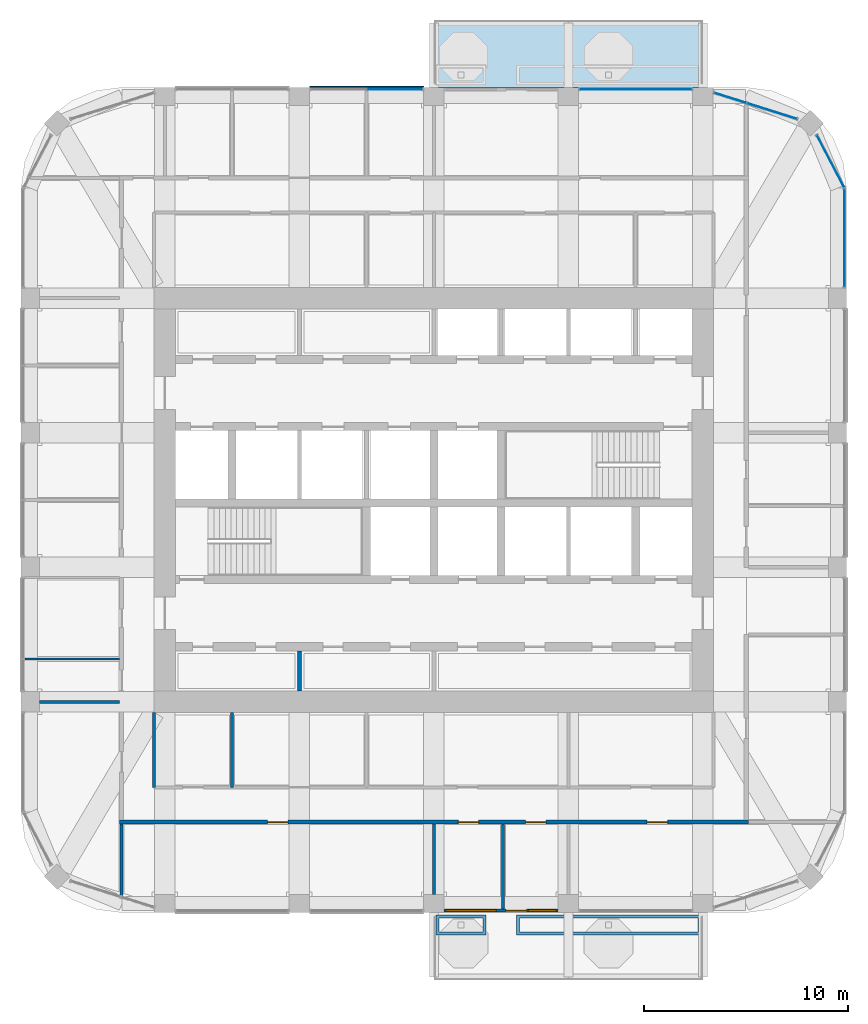
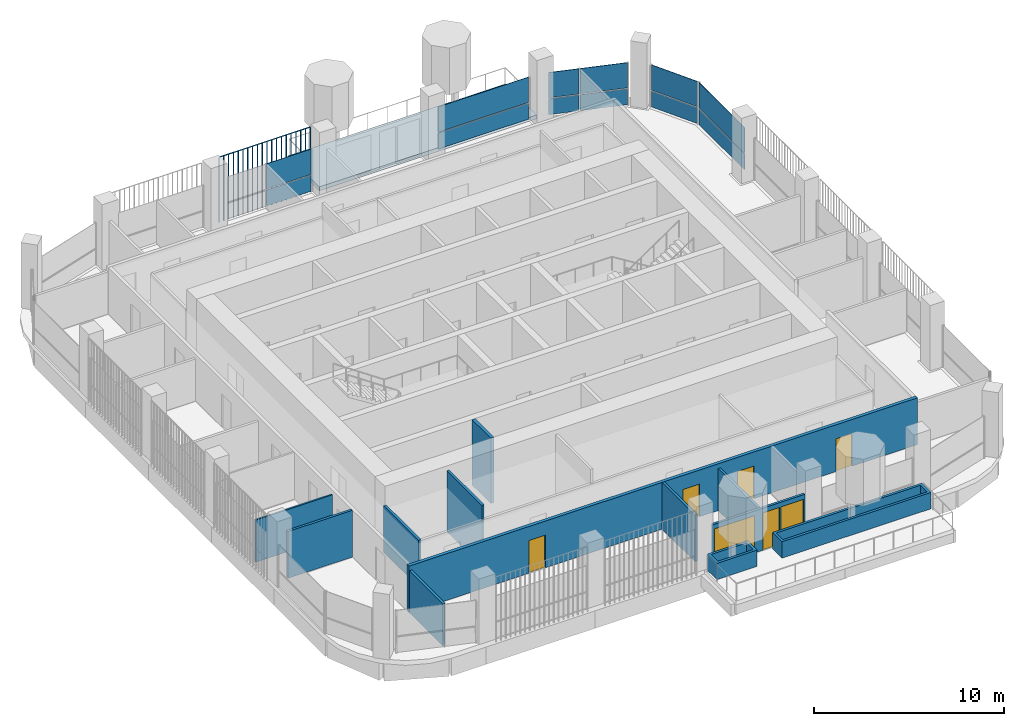
# One storey, part 13 of 21: 13 plates, 12 walls, 5 doors, 2 windows, 1 slab, 7 openings, 5 elements without a shape of their own.
"""IFC4 building model written with IfcOpenShell, lengths in metres."""

import ifcopenshell
import ifcopenshell.guid

model = None  # the IFC model being written
_history = None  # IfcOwnerHistory: only IFC2X3 demands one
_inside = {}  # id of a spatial element -> (the spatial element, [elements in it])
_under = {}  # id of a project, library or spatial element -> (it, [spatial elements below it])
_declared = {}  # id of a project -> (the project, [libraries it declares])
_typed = {}  # id of a type object -> (the type object, [elements of that type])
_made_of = {}  # id of a material, layer set ... -> (it, [elements and type objects made of it])


def new_model(schema):
    """Start an empty IFC model of exactly this schema.

    Asked for "IFC4X3", IfcOpenShell would pick the latest addendum, in which some entities
    have other attributes; the version numbers below select the first issue.
    IFC2X3 requires an IfcOwnerHistory on every rooted entity: one is made here for all.
    """
    global model, _history
    if schema == "IFC4X3":
        model = ifcopenshell.file(schema_version=(4, 3, 0, 0))
    else:
        model = ifcopenshell.file(schema=schema)
    _inside.clear()
    _under.clear()
    _declared.clear()
    _typed.clear()
    _made_of.clear()
    _history = None
    if model.schema == "IFC2X3":
        org = make("IfcOrganization", Name="unknown")
        user = make(
            "IfcPersonAndOrganization",
            ThePerson=make("IfcPerson", FamilyName="unknown"),
            TheOrganization=org,
        )
        app = make(
            "IfcApplication",
            ApplicationDeveloper=org,
            Version="unknown",
            ApplicationFullName="unknown",
            ApplicationIdentifier="unknown",
        )
        _history = make(
            "IfcOwnerHistory",
            OwningUser=user,
            OwningApplication=app,
            ChangeAction="ADDED",
            CreationDate=0,
        )
    return model


def make(cls, **values):
    """One entity of the class cls with the attributes given. An attribute that is None is left unset."""
    return model.create_entity(
        cls, **{name: value for name, value in values.items() if value is not None}
    )


def rooted(cls, **values):
    """An entity with a GlobalId (a new one), such as an element, a storey or a relation."""
    return make(cls, GlobalId=ifcopenshell.guid.new(), OwnerHistory=_history, **values)


def si_unit(unit_type, name, prefix=None):
    """IfcSIUnit, for example si_unit("LENGTHUNIT", "METRE", prefix="MILLI")."""
    return make("IfcSIUnit", UnitType=unit_type, Prefix=prefix, Name=name)


def assignment(units):
    """IfcUnitAssignment: the units of a project."""
    return None if units is None else make("IfcUnitAssignment", Units=units)


def point(xyz):
    """IfcCartesianPoint."""
    return None if xyz is None else make("IfcCartesianPoint", Coordinates=xyz)


def direction(xyz):
    """IfcDirection."""
    return None if xyz is None else make("IfcDirection", DirectionRatios=xyz)


def frame(location, z_axis=None, x_axis=None):
    """IfcAxis2Placement3D, a coordinate frame: its origin and axes. An axis left out is left unset."""
    return make(
        "IfcAxis2Placement3D",
        Location=point(location),
        Axis=direction(z_axis),
        RefDirection=direction(x_axis),
    )


def frame_2d(location, x_axis=None):
    """IfcAxis2Placement2D, a coordinate frame in the plane: its origin and x axis."""
    return make(
        "IfcAxis2Placement2D", Location=point(location), RefDirection=direction(x_axis)
    )


def origin():
    """The frame at (0, 0, 0) with its axes left unset."""
    return frame((0.0, 0.0, 0.0))


def origin_2d():
    """The frame at (0, 0) in the plane with its x axis left unset."""
    return frame_2d((0.0, 0.0))


def place(relative_to, where):
    """IfcLocalPlacement: puts the frame where relative to a parent placement (None: the world)."""
    return make(
        "IfcLocalPlacement", PlacementRelTo=relative_to, RelativePlacement=where
    )


def context(
    kind, dimensions, precision=None, world=None, true_north=None, identifier=None
):
    """IfcGeometricRepresentationContext, for example the 3D "Model" context."""
    return make(
        "IfcGeometricRepresentationContext",
        ContextIdentifier=identifier,
        ContextType=kind,
        CoordinateSpaceDimension=dimensions,
        Precision=precision,
        WorldCoordinateSystem=world,
        TrueNorth=true_north,
    )


def subcontext(parent, identifier, kind, view, scale=None):
    """IfcGeometricRepresentationSubContext, for example "Body" below "Model"."""
    return make(
        "IfcGeometricRepresentationSubContext",
        ContextIdentifier=identifier,
        ContextType=kind,
        ParentContext=parent,
        TargetScale=scale,
        TargetView=view,
    )


def project(units=None, contexts=None):
    """IfcProject with its units and contexts."""
    return rooted(
        "IfcProject",
        Name="project",
        RepresentationContexts=contexts,
        UnitsInContext=assignment(units),
    )


def spatial(cls, under=None, at=None, **own):
    """A site, building, storey or space (cls), placed at a placement, below another one or the project."""
    s = rooted(cls, ObjectPlacement=at, **own)
    if under is not None:
        _under.setdefault(under.id(), (under, []))[1].append(s)
    return s


def polyline(points):
    """IfcPolyline through the points."""
    return make("IfcPolyline", Points=[point(p) for p in points])


def profile(cls, at=None, kind="AREA", **sizes):
    """A parametric profile (cls). Its sizes go by their IFC names, for example OverallWidth=200.0."""
    return make(cls, ProfileType=kind, Position=at, **sizes)


def rectangle(**sizes):
    """IfcRectangleProfileDef."""
    return profile("IfcRectangleProfileDef", **sizes)


def outline(outer, holes=None, kind="AREA"):
    """IfcArbitraryClosedProfileDef: a profile drawn as a closed curve; with holes, ...WithVoids."""
    if holes is None:
        return make("IfcArbitraryClosedProfileDef", ProfileType=kind, OuterCurve=outer)
    return make(
        "IfcArbitraryProfileDefWithVoids",
        ProfileType=kind,
        OuterCurve=outer,
        InnerCurves=holes,
    )


def extrude(swept, where, along, depth):
    """IfcExtrudedAreaSolid: the profile swept, set in the frame where, extruded along a direction by depth."""
    return make(
        "IfcExtrudedAreaSolid",
        SweptArea=swept,
        Position=where,
        ExtrudedDirection=direction(along),
        Depth=depth,
    )


def shape(context_of_items, identifier, shape_type, items):
    """IfcShapeRepresentation: the items that make up one representation, for example the "Body"."""
    return make(
        "IfcShapeRepresentation",
        ContextOfItems=context_of_items,
        RepresentationIdentifier=identifier,
        RepresentationType=shape_type,
        Items=items,
    )


def material(Name=None, Category=None):
    """IfcMaterial."""
    return make("IfcMaterial", Name=Name, Category=Category)


def layer(
    of_material, thickness, ventilated=None, Name=None, Category=None, Priority=None
):
    """IfcMaterialLayer: one layer of a wall or slab, of a material (None: an air gap)."""
    return make(
        "IfcMaterialLayer",
        Material=of_material,
        LayerThickness=thickness,
        IsVentilated=ventilated,
        Name=Name,
        Category=Category,
        Priority=Priority,
    )


def layer_set(layers, Name=None):
    """IfcMaterialLayerSet."""
    return make("IfcMaterialLayerSet", MaterialLayers=layers, LayerSetName=Name)


def made_of(thing, what):
    """Note that an element or type object is made of a material, layer set ...; save() writes the relation."""
    if what is not None:
        _made_of.setdefault(what.id(), (what, []))[1].append(thing)
    return thing


def type_object(cls, material=None, **own):
    """A type object (cls), such as IfcWallType, which elements share."""
    return made_of(rooted(cls, **own), material)


def element(
    cls,
    number,
    at=None,
    inside=None,
    cuts=None,
    type_object=None,
    material=None,
    context=None,
    identifier="Body",
    shape_type=None,
    held_by="IfcProductDefinitionShape",
    body=None,
    shapes=None,
    **own,
):
    """One element of the class cls, such as IfcWall. Its Tag is "e" and its number.

    at: its placement. inside: the storey or other place that contains it. cuts: it is an
    opening in that element (IfcRelVoidsElement). A single representation is given by context,
    identifier, shape_type and body (its items); several are given by shapes. held_by: the class
    of the entity that holds the representations. save() writes the other relations.
    """
    e = rooted(cls, Tag="e%d" % number, ObjectPlacement=at, **own)
    if body is not None:
        shapes = [shape(context, identifier, shape_type, body)]
    if shapes is not None:
        e.Representation = make(held_by, Representations=shapes)
    if inside is not None:
        _inside.setdefault(inside.id(), (inside, []))[1].append(e)
    if cuts is not None:
        rooted(
            "IfcRelVoidsElement", RelatingBuildingElement=cuts, RelatedOpeningElement=e
        )
    if type_object is not None:
        _typed.setdefault(type_object.id(), (type_object, []))[1].append(e)
    return made_of(e, material)


def fill(opening, filler):
    """IfcRelFillsElement: the door or window that sits in an opening."""
    return rooted(
        "IfcRelFillsElement",
        RelatingOpeningElement=opening,
        RelatedBuildingElement=filler,
    )


def aggregate(whole, parts):
    """IfcRelAggregates: a whole, such as a stair, and the parts it consists of."""
    return rooted("IfcRelAggregates", RelatingObject=whole, RelatedObjects=parts)


def save(model, path):
    """Write the relations noted so far, then the file.

    IfcRelAggregates (storeys below a building ...), IfcRelContainedInSpatialStructure (elements
    in a storey), IfcRelDefinesByType, IfcRelAssociatesMaterial and IfcRelDeclares: one each for
    every whole, place, type object, material and project.
    """
    for whole, parts in _under.values():
        aggregate(whole, parts)
    for where, things in _inside.values():
        rooted(
            "IfcRelContainedInSpatialStructure",
            RelatedElements=things,
            RelatingStructure=where,
        )
    for kind, things in _typed.values():
        rooted("IfcRelDefinesByType", RelatedObjects=things, RelatingType=kind)
    for what, things in _made_of.values():
        rooted("IfcRelAssociatesMaterial", RelatedObjects=things, RelatingMaterial=what)
    for by, libraries in _declared.values():
        rooted("IfcRelDeclares", RelatingContext=by, RelatedDefinitions=libraries)
    model.write(path)


model = new_model("IFC4")

# Units and contexts
model_context = context("Model", 3, precision=1e-05, world=origin(), true_north=direction((0.0, 1.0)))
body_context = subcontext(model_context, "Body", "Model", "MODEL_VIEW")
ifc_project = project(units=[si_unit("LENGTHUNIT", "METRE"), si_unit("AREAUNIT", "SQUARE_METRE"), si_unit("VOLUMEUNIT", "CUBIC_METRE"), si_unit("PLANEANGLEUNIT", "RADIAN"), si_unit("MASSUNIT", "GRAM", prefix="KILO")], contexts=[model_context])

# Site, building, storey
site_placement = place(None, origin())
site = spatial("IfcSite", under=ifc_project, at=site_placement, CompositionType="ELEMENT")
building_placement = place(site_placement, origin())
building = spatial("IfcBuilding", under=site, at=building_placement, Name="Cobogo Forest Laboratory Tower", CompositionType="ELEMENT")
storey_placement = place(building_placement, frame((0.0, 0.0, 267.0)))
storey = spatial("IfcBuildingStorey", under=building, at=storey_placement, Name="L61", CompositionType="ELEMENT", Elevation=267.0)

# Slab
ifc_material_1 = material(Name="Concrete HA-40 (C40/50)", Category="concrete")
ifc_layer_1 = layer(ifc_material_1, 0.25)
ifc_layer_set_1 = layer_set([ifc_layer_1], Name="Balcony slab 250")
slab_type = type_object("IfcSlabType", Name="Balcony slab 250", PredefinedType="FLOOR", material=ifc_layer_set_1)
slab_placement = place(storey_placement, frame((0.0, 0.0, -0.25)))
element("IfcSlab", 1, at=slab_placement, inside=storey, type_object=slab_type, Name="Balcony BAL-N1 L61", PredefinedType="FLOOR", context=body_context, shape_type="SweptSolid", body=[
    extrude(outline(polyline([(26.39990234375, 43.35009765625), (39.60009765625, 43.35009765625), (39.60009765625, 46.64990234375), (26.39990234375, 46.64990234375), (26.39990234375, 43.35009765625)])), origin(), (0.0, 0.0, 1.0), 0.25),
])

# Curtain wall, plates
ifc_material_2 = material(Name="Aluminium curtain wall", Category="aluminium")
curtain_wall_type = type_object("IfcCurtainWallType", Name="CW-2 unitised curtain wall, solar control glazing, laboratory floors zones C and D", PredefinedType="USERDEFINED", material=ifc_material_2)
curtain_wall_1_placement = place(storey_placement, origin())
curtain_wall_1 = element("IfcCurtainWall", 2, at=curtain_wall_1_placement, inside=storey, type_object=curtain_wall_type, Name="Curtain wall 11 L61", ObjectType="UNITISED CURTAIN WALL", PredefinedType="USERDEFINED")
ifc_material_3 = material(Name="Solar control insulated glass", Category="glass")
ifc_layer_2 = layer(ifc_material_3, 0.031982421875)
ifc_layer_set_2 = layer_set([ifc_layer_2], Name="GP-2 solar control glass unit 32")
plate_type_1 = type_object("IfcPlateType", Name="GP-2 solar control glass unit 32", PredefinedType="CURTAIN_PANEL", material=ifc_layer_set_2)
plate_1_placement = place(storey_placement, frame((46.550048828125, 35.949951171875, 0.0), z_axis=(0.0, 0.0, 1.0), x_axis=(0.0, 1.0, 0.0)))
plate_1 = element("IfcPlate", 3, at=plate_1_placement, type_object=plate_type_1, Name="CW-2 panel 1.1", PredefinedType="CURTAIN_PANEL", context=body_context, shape_type="SweptSolid", body=[
    extrude(rectangle(XDim=4.780029296875, YDim=0.031982421875, at=origin_2d()), origin(), (0.0, 0.0, 1.0), 1.02001953125),
])
plate_2_placement = place(storey_placement, frame((46.550048828125, 35.949951171875, 1.079833984375), z_axis=(0.0, 0.0, 1.0), x_axis=(0.0, 1.0, 0.0)))
plate_2 = element("IfcPlate", 4, at=plate_2_placement, type_object=plate_type_1, Name="CW-2 panel 1.2", PredefinedType="CURTAIN_PANEL", context=body_context, shape_type="SweptSolid", body=[
    extrude(rectangle(XDim=4.780029296875, YDim=0.031982421875, at=origin_2d()), origin(), (0.0, 0.0, 1.0), 1.6201171875),
])
aggregate(curtain_wall_1, [plate_1, plate_2])

curtain_wall_2_placement = place(storey_placement, origin())
curtain_wall_2 = element("IfcCurtainWall", 5, at=curtain_wall_2_placement, inside=storey, type_object=curtain_wall_type, Name="Curtain wall 12 L61", ObjectType="UNITISED CURTAIN WALL", PredefinedType="USERDEFINED")
plate_3_placement = place(storey_placement, frame((45.85693359375, 39.721923828125, 0.0), z_axis=(0.0, 0.0, 1.0), x_axis=(-0.464283778337, 0.885686498245, 0.0)))
plate_3 = element("IfcPlate", 6, at=plate_3_placement, type_object=plate_type_1, Name="CW-2 panel 1.1", PredefinedType="CURTAIN_PANEL", context=body_context, shape_type="SweptSolid", body=[
    extrude(rectangle(XDim=2.864990234375, YDim=0.031982421875, at=origin_2d()), origin(), (0.0, 0.0, 1.0), 1.02001953125),
])
plate_4_placement = place(storey_placement, frame((45.85693359375, 39.721923828125, 1.079833984375), z_axis=(0.0, 0.0, 1.0), x_axis=(-0.464283778337, 0.885686498245, 0.0)))
plate_4 = element("IfcPlate", 7, at=plate_4_placement, type_object=plate_type_1, Name="CW-2 panel 1.2", PredefinedType="CURTAIN_PANEL", context=body_context, shape_type="SweptSolid", body=[
    extrude(rectangle(XDim=2.864990234375, YDim=0.031982421875, at=origin_2d()), origin(), (0.0, 0.0, 1.0), 1.6201171875),
])
aggregate(curtain_wall_2, [plate_3, plate_4])

curtain_wall_3_placement = place(storey_placement, origin())
curtain_wall_3 = element("IfcCurtainWall", 8, at=curtain_wall_3_placement, inside=storey, type_object=curtain_wall_type, Name="Curtain wall 13 L61", ObjectType="UNITISED CURTAIN WALL", PredefinedType="USERDEFINED")
plate_5_placement = place(storey_placement, frame((42.989501953125, 42.1796875, 0.0), z_axis=(0.0, 0.0, 1.0), x_axis=(-0.953581379409, 0.301135439371, 0.0)))
plate_5 = element("IfcPlate", 9, at=plate_5_placement, type_object=plate_type_1, Name="CW-2 panel 1.1", PredefinedType="CURTAIN_PANEL", context=body_context, shape_type="SweptSolid", body=[
    extrude(rectangle(XDim=2.541748046875, YDim=0.031982421875, at=origin_2d()), origin(), (0.0, 0.0, 1.0), 1.02001953125),
])
plate_6_placement = place(storey_placement, frame((42.989501953125, 42.1796875, 1.079833984375), z_axis=(0.0, 0.0, 1.0), x_axis=(-0.953581379409, 0.301135439371, 0.0)))
plate_6 = element("IfcPlate", 10, at=plate_6_placement, type_object=plate_type_1, Name="CW-2 panel 1.2", PredefinedType="CURTAIN_PANEL", context=body_context, shape_type="SweptSolid", body=[
    extrude(rectangle(XDim=2.541748046875, YDim=0.031982421875, at=origin_2d()), origin(), (0.0, 0.0, 1.0), 1.6201171875),
])
plate_7_placement = place(storey_placement, frame((40.93896484375, 42.8271484375, 0.0), z_axis=(0.0, 0.0, 1.0), x_axis=(-0.953581379409, 0.301135439371, 0.0)))
plate_7 = element("IfcPlate", 11, at=plate_7_placement, type_object=plate_type_1, Name="CW-2 panel 2.1", PredefinedType="CURTAIN_PANEL", context=body_context, shape_type="SweptSolid", body=[
    extrude(rectangle(XDim=1.639404296875, YDim=0.031982421875, at=origin_2d()), origin(), (0.0, 0.0, 1.0), 1.02001953125),
])
plate_8_placement = place(storey_placement, frame((40.93896484375, 42.8271484375, 1.079833984375), z_axis=(0.0, 0.0, 1.0), x_axis=(-0.953581379409, 0.301135439371, 0.0)))
plate_8 = element("IfcPlate", 12, at=plate_8_placement, type_object=plate_type_1, Name="CW-2 panel 2.2", PredefinedType="CURTAIN_PANEL", context=body_context, shape_type="SweptSolid", body=[
    extrude(rectangle(XDim=1.639404296875, YDim=0.031982421875, at=origin_2d()), origin(), (0.0, 0.0, 1.0), 1.6201171875),
])
aggregate(curtain_wall_3, [plate_5, plate_6, plate_7, plate_8])

curtain_wall_4_placement = place(storey_placement, origin())
curtain_wall_4 = element("IfcCurtainWall", 13, at=curtain_wall_4_placement, inside=storey, type_object=curtain_wall_type, Name="Curtain wall 14 L61", ObjectType="UNITISED CURTAIN WALL", PredefinedType="USERDEFINED")
plate_9_placement = place(storey_placement, frame((36.300048828125, 43.25, 0.0), z_axis=(0.0, 0.0, 1.0), x_axis=(-1.0, 0.0, 0.0)))
plate_9 = element("IfcPlate", 14, at=plate_9_placement, type_object=plate_type_1, Name="CW-2 panel 1.1", PredefinedType="CURTAIN_PANEL", context=body_context, shape_type="SweptSolid", body=[
    extrude(rectangle(XDim=5.47998046875, YDim=0.031982421875, at=origin_2d()), origin(), (0.0, 0.0, 1.0), 1.02001953125),
])
plate_10_placement = place(storey_placement, frame((36.300048828125, 43.25, 1.079833984375), z_axis=(0.0, 0.0, 1.0), x_axis=(-1.0, 0.0, 0.0)))
plate_10 = element("IfcPlate", 15, at=plate_10_placement, type_object=plate_type_1, Name="CW-2 panel 1.2", PredefinedType="CURTAIN_PANEL", context=body_context, shape_type="SweptSolid", body=[
    extrude(rectangle(XDim=5.47998046875, YDim=0.031982421875, at=origin_2d()), origin(), (0.0, 0.0, 1.0), 1.6201171875),
])
aggregate(curtain_wall_4, [plate_9, plate_10])

curtain_wall_5_placement = place(storey_placement, origin())
curtain_wall_5 = element("IfcCurtainWall", 16, at=curtain_wall_5_placement, inside=storey, type_object=curtain_wall_type, Name="Curtain wall 16 L61", ObjectType="UNITISED CURTAIN WALL", PredefinedType="USERDEFINED")
plate_11_placement = place(storey_placement, frame((24.485107421875, 43.25, 0.0), z_axis=(0.0, 0.0, 1.0), x_axis=(-1.0, 0.0, 0.0)))
plate_11 = element("IfcPlate", 17, at=plate_11_placement, type_object=plate_type_1, Name="CW-2 panel 1.1", PredefinedType="CURTAIN_PANEL", context=body_context, shape_type="SweptSolid", body=[
    extrude(rectangle(XDim=2.7099609375, YDim=0.031982421875, at=origin_2d()), origin(), (0.0, 0.0, 1.0), 1.02001953125),
])
plate_12_placement = place(storey_placement, frame((24.485107421875, 43.25, 1.079833984375), z_axis=(0.0, 0.0, 1.0), x_axis=(-1.0, 0.0, 0.0)))
plate_12 = element("IfcPlate", 18, at=plate_12_placement, type_object=plate_type_1, Name="CW-2 panel 1.2", PredefinedType="CURTAIN_PANEL", context=body_context, shape_type="SweptSolid", body=[
    extrude(rectangle(XDim=2.7099609375, YDim=0.031982421875, at=origin_2d()), origin(), (0.0, 0.0, 1.0), 1.6201171875),
])
aggregate(curtain_wall_5, [plate_11, plate_12])

# Plate
ifc_material_4 = material(Name="Terracotta", Category="masonry")
plate_type_2 = type_object("IfcPlateType", Name="TB1 terracotta baguette screen", PredefinedType="USERDEFINED", material=ifc_material_4)
plate_13_placement = place(storey_placement, frame((20.331298828125, 43.3779296875, -0.14990234375)))
element("IfcPlate", 19, at=plate_13_placement, inside=storey, type_object=plate_type_2, Name="Baguette screen N2 L61", ObjectType="BAGUETTE SCREEN", PredefinedType="USERDEFINED", context=body_context, shape_type="SweptSolid", body=[
    extrude(outline(polyline([(0.02880859375, 0.011962890625), (0.011962890625, 0.02880859375), (-0.011962890625, 0.02880859375), (-0.02880859375, 0.011962890625), (-0.02880859375, -0.011962890625), (-0.011962890625, -0.02880859375), (0.011962890625, -0.02880859375), (0.02880859375, -0.011962890625), (0.02880859375, 0.011962890625)])), frame((0.0, 0.0, 4.168701171875), z_axis=(1.0, 0.0, 0.0), x_axis=(0.0, 1.0, 0.0)), (0.0, 0.0, 1.0), 5.537353515625),
    extrude(outline(polyline([(0.02880859375, 0.011962890625), (0.011962890625, 0.02880859375), (-0.011962890625, 0.02880859375), (-0.02880859375, 0.011962890625), (-0.02880859375, -0.011962890625), (-0.011962890625, -0.02880859375), (0.011962890625, -0.02880859375), (0.02880859375, -0.011962890625), (0.02880859375, 0.011962890625)])), origin(), (0.0, 0.0, 1.0), 4.137451171875),
    extrude(outline(polyline([(0.02880859375, 0.011962890625), (0.011962890625, 0.02880859375), (-0.011962890625, 0.02880859375), (-0.02880859375, 0.011962890625), (-0.02880859375, -0.011962890625), (-0.011962890625, -0.02880859375), (0.011962890625, -0.02880859375), (0.02880859375, -0.011962890625), (0.02880859375, 0.011962890625)])), frame((0.29150390625, 0.0, 0.0)), (0.0, 0.0, 1.0), 4.137451171875),
    extrude(outline(polyline([(0.02880859375, 0.011962890625), (0.011962890625, 0.02880859375), (-0.011962890625, 0.02880859375), (-0.02880859375, 0.011962890625), (-0.02880859375, -0.011962890625), (-0.011962890625, -0.02880859375), (0.011962890625, -0.02880859375), (0.02880859375, -0.011962890625), (0.02880859375, 0.011962890625)])), frame((0.582763671875, 0.0, 0.0)), (0.0, 0.0, 1.0), 4.137451171875),
    extrude(outline(polyline([(0.02880859375, 0.011962890625), (0.011962890625, 0.02880859375), (-0.011962890625, 0.02880859375), (-0.02880859375, 0.011962890625), (-0.02880859375, -0.011962890625), (-0.011962890625, -0.02880859375), (0.011962890625, -0.02880859375), (0.02880859375, -0.011962890625), (0.02880859375, 0.011962890625)])), frame((0.874267578125, 0.0, 0.0)), (0.0, 0.0, 1.0), 4.137451171875),
    extrude(outline(polyline([(0.02880859375, 0.011962890625), (0.011962890625, 0.02880859375), (-0.011962890625, 0.02880859375), (-0.02880859375, 0.011962890625), (-0.02880859375, -0.011962890625), (-0.011962890625, -0.02880859375), (0.011962890625, -0.02880859375), (0.02880859375, -0.011962890625), (0.02880859375, 0.011962890625)])), frame((1.165771484375, 0.0, 0.0)), (0.0, 0.0, 1.0), 4.137451171875),
    extrude(outline(polyline([(0.02880859375, 0.011962890625), (0.011962890625, 0.02880859375), (-0.011962890625, 0.02880859375), (-0.02880859375, 0.011962890625), (-0.02880859375, -0.011962890625), (-0.011962890625, -0.02880859375), (0.011962890625, -0.02880859375), (0.02880859375, -0.011962890625), (0.02880859375, 0.011962890625)])), frame((1.457275390625, 0.0, 0.0)), (0.0, 0.0, 1.0), 4.137451171875),
    extrude(outline(polyline([(0.02880859375, 0.011962890625), (0.011962890625, 0.02880859375), (-0.011962890625, 0.02880859375), (-0.02880859375, 0.011962890625), (-0.02880859375, -0.011962890625), (-0.011962890625, -0.02880859375), (0.011962890625, -0.02880859375), (0.02880859375, -0.011962890625), (0.02880859375, 0.011962890625)])), frame((1.74853515625, 0.0, 0.0)), (0.0, 0.0, 1.0), 4.137451171875),
    extrude(outline(polyline([(0.02880859375, 0.011962890625), (0.011962890625, 0.02880859375), (-0.011962890625, 0.02880859375), (-0.02880859375, 0.011962890625), (-0.02880859375, -0.011962890625), (-0.011962890625, -0.02880859375), (0.011962890625, -0.02880859375), (0.02880859375, -0.011962890625), (0.02880859375, 0.011962890625)])), frame((2.0400390625, 0.0, 0.0)), (0.0, 0.0, 1.0), 4.137451171875),
    extrude(outline(polyline([(0.02880859375, 0.011962890625), (0.011962890625, 0.02880859375), (-0.011962890625, 0.02880859375), (-0.02880859375, 0.011962890625), (-0.02880859375, -0.011962890625), (-0.011962890625, -0.02880859375), (0.011962890625, -0.02880859375), (0.02880859375, -0.011962890625), (0.02880859375, 0.011962890625)])), frame((2.33154296875, 0.0, 0.0)), (0.0, 0.0, 1.0), 4.137451171875),
    extrude(outline(polyline([(0.02880859375, 0.011962890625), (0.011962890625, 0.02880859375), (-0.011962890625, 0.02880859375), (-0.02880859375, 0.011962890625), (-0.02880859375, -0.011962890625), (-0.011962890625, -0.02880859375), (0.011962890625, -0.02880859375), (0.02880859375, -0.011962890625), (0.02880859375, 0.011962890625)])), frame((2.623046875, 0.0, 0.0)), (0.0, 0.0, 1.0), 4.137451171875),
    extrude(outline(polyline([(0.02880859375, 0.011962890625), (0.011962890625, 0.02880859375), (-0.011962890625, 0.02880859375), (-0.02880859375, 0.011962890625), (-0.02880859375, -0.011962890625), (-0.011962890625, -0.02880859375), (0.011962890625, -0.02880859375), (0.02880859375, -0.011962890625), (0.02880859375, 0.011962890625)])), frame((2.914306640625, 0.0, 0.0)), (0.0, 0.0, 1.0), 4.137451171875),
    extrude(outline(polyline([(0.02880859375, 0.011962890625), (0.011962890625, 0.02880859375), (-0.011962890625, 0.02880859375), (-0.02880859375, 0.011962890625), (-0.02880859375, -0.011962890625), (-0.011962890625, -0.02880859375), (0.011962890625, -0.02880859375), (0.02880859375, -0.011962890625), (0.02880859375, 0.011962890625)])), frame((3.205810546875, 0.0, 0.0)), (0.0, 0.0, 1.0), 4.137451171875),
    extrude(outline(polyline([(0.02880859375, 0.011962890625), (0.011962890625, 0.02880859375), (-0.011962890625, 0.02880859375), (-0.02880859375, 0.011962890625), (-0.02880859375, -0.011962890625), (-0.011962890625, -0.02880859375), (0.011962890625, -0.02880859375), (0.02880859375, -0.011962890625), (0.02880859375, 0.011962890625)])), frame((3.497314453125, 0.0, 0.0)), (0.0, 0.0, 1.0), 4.137451171875),
    extrude(outline(polyline([(0.02880859375, 0.011962890625), (0.011962890625, 0.02880859375), (-0.011962890625, 0.02880859375), (-0.02880859375, 0.011962890625), (-0.02880859375, -0.011962890625), (-0.011962890625, -0.02880859375), (0.011962890625, -0.02880859375), (0.02880859375, -0.011962890625), (0.02880859375, 0.011962890625)])), frame((3.788818359375, 0.0, 0.0)), (0.0, 0.0, 1.0), 4.137451171875),
    extrude(outline(polyline([(0.02880859375, 0.011962890625), (0.011962890625, 0.02880859375), (-0.011962890625, 0.02880859375), (-0.02880859375, 0.011962890625), (-0.02880859375, -0.011962890625), (-0.011962890625, -0.02880859375), (0.011962890625, -0.02880859375), (0.02880859375, -0.011962890625), (0.02880859375, 0.011962890625)])), frame((4.080078125, 0.0, 0.0)), (0.0, 0.0, 1.0), 4.137451171875),
    extrude(outline(polyline([(0.02880859375, 0.011962890625), (0.011962890625, 0.02880859375), (-0.011962890625, 0.02880859375), (-0.02880859375, 0.011962890625), (-0.02880859375, -0.011962890625), (-0.011962890625, -0.02880859375), (0.011962890625, -0.02880859375), (0.02880859375, -0.011962890625), (0.02880859375, 0.011962890625)])), frame((4.37158203125, 0.0, 0.0)), (0.0, 0.0, 1.0), 4.137451171875),
    extrude(outline(polyline([(0.02880859375, 0.011962890625), (0.011962890625, 0.02880859375), (-0.011962890625, 0.02880859375), (-0.02880859375, 0.011962890625), (-0.02880859375, -0.011962890625), (-0.011962890625, -0.02880859375), (0.011962890625, -0.02880859375), (0.02880859375, -0.011962890625), (0.02880859375, 0.011962890625)])), frame((4.6630859375, 0.0, 0.0)), (0.0, 0.0, 1.0), 4.137451171875),
    extrude(outline(polyline([(0.02880859375, 0.011962890625), (0.011962890625, 0.02880859375), (-0.011962890625, 0.02880859375), (-0.02880859375, 0.011962890625), (-0.02880859375, -0.011962890625), (-0.011962890625, -0.02880859375), (0.011962890625, -0.02880859375), (0.02880859375, -0.011962890625), (0.02880859375, 0.011962890625)])), frame((4.95458984375, 0.0, 0.0)), (0.0, 0.0, 1.0), 4.137451171875),
    extrude(outline(polyline([(0.02880859375, 0.011962890625), (0.011962890625, 0.02880859375), (-0.011962890625, 0.02880859375), (-0.02880859375, 0.011962890625), (-0.02880859375, -0.011962890625), (-0.011962890625, -0.02880859375), (0.011962890625, -0.02880859375), (0.02880859375, -0.011962890625), (0.02880859375, 0.011962890625)])), frame((5.245849609375, 0.0, 0.0)), (0.0, 0.0, 1.0), 4.137451171875),
    extrude(outline(polyline([(0.02880859375, 0.011962890625), (0.011962890625, 0.02880859375), (-0.011962890625, 0.02880859375), (-0.02880859375, 0.011962890625), (-0.02880859375, -0.011962890625), (-0.011962890625, -0.02880859375), (0.011962890625, -0.02880859375), (0.02880859375, -0.011962890625), (0.02880859375, 0.011962890625)])), frame((5.537353515625, 0.0, 0.0)), (0.0, 0.0, 1.0), 4.137451171875),
])

# Wall, openings, door, windows
ifc_material_5 = material(Name="Aluminium framed glazed screen", Category="aluminium")
ifc_layer_3 = layer(ifc_material_5, 0.14990234375)
ifc_layer_set_3 = layer_set([ifc_layer_3], Name="GS1 glazed door screen 150")
wall_type_1 = type_object("IfcWallType", Name="GS1 glazed door screen 150", PredefinedType="SOLIDWALL", material=ifc_layer_set_3)
wall_1_placement = place(storey_placement, frame((26.89990234375, 2.949951171875, 0.0), z_axis=(0.0, 0.0, 1.0), x_axis=(1.0, 0.0, 0.0)))
wall_1 = element("IfcWall", 20, at=wall_1_placement, inside=storey, type_object=wall_type_1, Name="Door screen BAL-S1 L61", PredefinedType="SOLIDWALL", context=body_context, shape_type="SweptSolid", body=[
    extrude(rectangle(XDim=5.60009765625, YDim=0.14990234375, at=frame_2d((2.800048828125, 0.0))), origin(), (0.0, 0.0, 1.0), 2.699951171875),
])
opening_1_placement = place(wall_1_placement, frame((3.050048828125, 0.0, 0.0)))
opening_1 = element("IfcOpeningElement", 21, at=opening_1_placement, cuts=wall_1, Name="Opening L61-D01", PredefinedType="OPENING", context=body_context, shape_type="SweptSolid", body=[
    extrude(rectangle(XDim=1.0, YDim=2.39990234375, at=frame_2d((0.5, 1.199951171875))), frame((0.0, 0.0849609375, 0.0), z_axis=(0.0, -1.0, 0.0), x_axis=(1.0, 0.0, 0.0)), (0.0, 0.0, 1.0), 0.169921875),
])
opening_2_placement = place(wall_1_placement, frame((0.10009765625, 0.0, 0.10009765625)))
opening_2 = element("IfcOpeningElement", 22, at=opening_2_placement, cuts=wall_1, Name="Opening L61-W01", PredefinedType="OPENING", context=body_context, shape_type="SweptSolid", body=[
    extrude(rectangle(XDim=2.449951171875, YDim=2.300048828125, at=frame_2d((1.22509765625, 1.14990234375))), frame((0.0, 0.0849609375, 0.0), z_axis=(0.0, -1.0, 0.0), x_axis=(1.0, 0.0, 0.0)), (0.0, 0.0, 1.0), 0.169921875),
])
opening_3_placement = place(wall_1_placement, frame((4.14990234375, 0.0, 0.10009765625)))
opening_3 = element("IfcOpeningElement", 23, at=opening_3_placement, cuts=wall_1, Name="Opening L61-W02", PredefinedType="OPENING", context=body_context, shape_type="SweptSolid", body=[
    extrude(rectangle(XDim=1.35009765625, YDim=2.300048828125, at=frame_2d((0.675048828125, 1.14990234375))), frame((0.0, 0.0849609375, 0.0), z_axis=(0.0, -1.0, 0.0), x_axis=(1.0, 0.0, 0.0)), (0.0, 0.0, 1.0), 0.169921875),
])
ifc_material_6 = material(Name="Aluminium glazed door", Category="aluminium")
door_type_1 = type_object("IfcDoorType", Name="DB1 balcony door 1000 glazed", OperationType="SINGLE_SWING_LEFT", PredefinedType="DOOR", material=ifc_material_6)
door_1_placement = place(opening_1_placement, origin())
door_1 = element("IfcDoor", 24, at=door_1_placement, inside=storey, type_object=door_type_1, Name="Door L61-BAL-S1", OperationType="SINGLE_SWING_RIGHT", OverallHeight=2.39990234375, OverallWidth=1.0, PredefinedType="DOOR", context=body_context, shape_type="SweptSolid", body=[
    extrude(rectangle(XDim=1.0, YDim=2.39990234375, at=frame_2d((0.5, 1.199951171875))), frame((0.0, 0.02490234375, 0.0), z_axis=(0.0, -1.0, 0.0), x_axis=(1.0, 0.0, 0.0)), (0.0, 0.0, 1.0), 0.050048828125),
])
fill(opening_1, door_1)
ifc_material_7 = material(Name="Aluminium framed glazing", Category="aluminium")
window_type_1 = type_object("IfcWindowType", Name="WG23 fixed glazed light 2450x2300", PartitioningType="SINGLE_PANEL", PredefinedType="WINDOW", material=ifc_material_7)
window_1_placement = place(opening_2_placement, origin())
window_1 = element("IfcWindow", 25, at=window_1_placement, inside=storey, type_object=window_type_1, Name="Window L61-BAL-S1-1", OverallHeight=2.300048828125, OverallWidth=2.449951171875, PartitioningType="SINGLE_PANEL", PredefinedType="WINDOW", context=body_context, shape_type="SweptSolid", body=[
    extrude(rectangle(XDim=2.449951171875, YDim=2.300048828125, at=frame_2d((1.22509765625, 1.14990234375))), frame((0.0, 0.030029296875, 0.0), z_axis=(0.0, -1.0, 0.0), x_axis=(1.0, 0.0, 0.0)), (0.0, 0.0, 1.0), 0.06005859375),
])
fill(opening_2, window_1)
window_type_2 = type_object("IfcWindowType", Name="WG24 fixed glazed light 1350x2300", PartitioningType="SINGLE_PANEL", PredefinedType="WINDOW", material=ifc_material_7)
window_2_placement = place(opening_3_placement, origin())
window_2 = element("IfcWindow", 26, at=window_2_placement, inside=storey, type_object=window_type_2, Name="Window L61-BAL-S1-2", OverallHeight=2.300048828125, OverallWidth=1.35009765625, PartitioningType="SINGLE_PANEL", PredefinedType="WINDOW", context=body_context, shape_type="SweptSolid", body=[
    extrude(rectangle(XDim=1.35009765625, YDim=2.300048828125, at=frame_2d((0.675048828125, 1.14990234375))), frame((0.0, 0.030029296875, 0.0), z_axis=(0.0, -1.0, 0.0), x_axis=(1.0, 0.0, 0.0)), (0.0, 0.0, 1.0), 0.06005859375),
])
fill(opening_3, window_2)

# Walls
ifc_material_8 = material(Name="Gypsum board on steel studs", Category="steel")
ifc_layer_4 = layer(ifc_material_8, 0.14990234375)
ifc_layer_set_4 = layer_set([ifc_layer_4], Name="PT1 laboratory partition 150")
wall_type_2 = type_object("IfcWallType", Name="PT1 laboratory partition 150", PredefinedType="PARTITIONING", material=ifc_layer_set_4)
wall_2_placement = place(storey_placement, frame((12.675048828125, 12.675048828125, 0.0), z_axis=(0.0, 0.0, 1.0), x_axis=(0.0, -1.0, 0.0)))
element("IfcWall", 27, at=wall_2_placement, inside=storey, type_object=wall_type_2, Name="Partition CSTRIP-SW L61", PredefinedType="PARTITIONING", context=body_context, shape_type="SweptSolid", body=[
    extrude(rectangle(XDim=3.675048828125, YDim=0.14990234375, at=frame_2d((1.83740234375, 0.0))), origin(), (0.0, 0.0, 1.0), 3.0),
])
wall_3_placement = place(storey_placement, frame((16.5, 12.675048828125, 0.0), z_axis=(0.0, 0.0, 1.0), x_axis=(0.0, -1.0, 0.0)))
element("IfcWall", 28, at=wall_3_placement, inside=storey, type_object=wall_type_2, Name="Partition CSTRIP-S16.5 L61", PredefinedType="PARTITIONING", context=body_context, shape_type="SweptSolid", body=[
    extrude(rectangle(XDim=3.675048828125, YDim=0.14990234375, at=frame_2d((1.83740234375, 0.0))), origin(), (0.0, 0.0, 1.0), 3.89990234375),
])
wall_4_placement = place(storey_placement, frame((11.074951171875, 3.705078125, 0.0), z_axis=(0.0, 0.0, 1.0), x_axis=(0.0, 1.0, 0.0)))
element("IfcWall", 29, at=wall_4_placement, inside=storey, type_object=wall_type_2, Name="Partition PW-SW L61", PredefinedType="PARTITIONING", context=body_context, shape_type="SweptSolid", body=[
    extrude(rectangle(XDim=3.494873046875, YDim=0.14990234375, at=frame_2d((1.74755859375, 0.0))), origin(), (0.0, 0.0, 1.0), 2.699951171875),
])
wall_5_placement = place(storey_placement, frame((29.800048828125, 3.030029296875, 0.0), z_axis=(0.0, 0.0, 1.0), x_axis=(0.0, 1.0, 0.0)))
element("IfcWall", 30, at=wall_5_placement, inside=storey, type_object=wall_type_2, Name="Partition SVC-S1-1 L61", PredefinedType="PARTITIONING", context=body_context, shape_type="SweptSolid", body=[
    extrude(rectangle(XDim=4.169921875, YDim=0.14990234375, at=frame_2d((2.0849609375, 0.0))), origin(), (0.0, 0.0, 1.0), 2.699951171875),
])
wall_6_placement = place(storey_placement, frame((26.39990234375, 3.75, 0.0), z_axis=(0.0, 0.0, 1.0), x_axis=(0.0, 1.0, 0.0)))
element("IfcWall", 31, at=wall_6_placement, inside=storey, type_object=wall_type_2, Name="Partition CUT-S26.4-1 L61", PredefinedType="PARTITIONING", context=body_context, shape_type="SweptSolid", body=[
    extrude(rectangle(XDim=3.449951171875, YDim=0.14990234375, at=frame_2d((1.72509765625, 0.0))), origin(), (0.0, 0.0, 1.0), 3.0),
])
wall_7_placement = place(storey_placement, frame((7.050048828125, 13.199951171875, 0.0), z_axis=(0.0, 0.0, 1.0), x_axis=(1.0, 0.0, 0.0)))
element("IfcWall", 32, at=wall_7_placement, inside=storey, type_object=wall_type_2, Name="Partition CUT-W13.2-1 L61", PredefinedType="PARTITIONING", context=body_context, shape_type="SweptSolid", body=[
    extrude(rectangle(XDim=3.925048828125, YDim=0.14990234375, at=frame_2d((1.96240234375, 0.0))), origin(), (0.0, 0.0, 1.0), 3.0),
])

# Wall, openings, doors
ifc_layer_5 = layer(ifc_material_8, 0.199951171875)
ifc_layer_set_5 = layer_set([ifc_layer_5], Name="PT2 fire-rated corridor partition 200")
wall_type_3 = type_object("IfcWallType", Name="PT2 fire-rated corridor partition 200", PredefinedType="PARTITIONING", material=ifc_layer_set_5)
wall_8_placement = place(storey_placement, frame((10.97509765625, 7.300048828125, 0.0), z_axis=(0.0, 0.0, 1.0), x_axis=(1.0, 0.0, 0.0)))
wall_8 = element("IfcWall", 33, at=wall_8_placement, inside=storey, type_object=wall_type_3, Name="Partition CORR-S L61", PredefinedType="PARTITIONING", context=body_context, shape_type="SweptSolid", body=[
    extrude(rectangle(XDim=30.849853515625, YDim=0.199951171875, at=frame_2d((15.4248046875, 0.0))), origin(), (0.0, 0.0, 1.0), 3.0),
])
opening_4_placement = place(wall_8_placement, frame((7.262451171875, 0.0, 0.0)))
opening_4 = element("IfcOpeningElement", 34, at=opening_4_placement, cuts=wall_8, Name="Opening L61-D02", PredefinedType="OPENING", context=body_context, shape_type="SweptSolid", body=[
    extrude(rectangle(XDim=1.0, YDim=2.10009765625, at=frame_2d((0.5, 1.050048828125))), frame((0.0, 0.10986328125, 0.0), z_axis=(0.0, -1.0, 0.0), x_axis=(1.0, 0.0, 0.0)), (0.0, 0.0, 1.0), 0.219970703125),
])
opening_5_placement = place(wall_8_placement, frame((16.625, 0.0, 0.0)))
opening_5 = element("IfcOpeningElement", 35, at=opening_5_placement, cuts=wall_8, Name="Opening L61-D03", PredefinedType="OPENING", context=body_context, shape_type="SweptSolid", body=[
    extrude(rectangle(XDim=1.0, YDim=2.10009765625, at=frame_2d((0.5, 1.050048828125))), frame((0.0, 0.10986328125, 0.0), z_axis=(0.0, -1.0, 0.0), x_axis=(1.0, 0.0, 0.0)), (0.0, 0.0, 1.0), 0.219970703125),
])
opening_6_placement = place(wall_8_placement, frame((19.925048828125, 0.0, 0.0)))
opening_6 = element("IfcOpeningElement", 36, at=opening_6_placement, cuts=wall_8, Name="Opening L61-D04", PredefinedType="OPENING", context=body_context, shape_type="SweptSolid", body=[
    extrude(rectangle(XDim=1.0, YDim=2.10009765625, at=frame_2d((0.5, 1.050048828125))), frame((0.0, 0.10986328125, 0.0), z_axis=(0.0, -1.0, 0.0), x_axis=(1.0, 0.0, 0.0)), (0.0, 0.0, 1.0), 0.219970703125),
])
opening_7_placement = place(wall_8_placement, frame((25.887451171875, 0.0, 0.0)))
opening_7 = element("IfcOpeningElement", 37, at=opening_7_placement, cuts=wall_8, Name="Opening L61-D05", PredefinedType="OPENING", context=body_context, shape_type="SweptSolid", body=[
    extrude(rectangle(XDim=1.0, YDim=2.10009765625, at=frame_2d((0.5, 1.050048828125))), frame((0.0, 0.10986328125, 0.0), z_axis=(0.0, -1.0, 0.0), x_axis=(1.0, 0.0, 0.0)), (0.0, 0.0, 1.0), 0.219970703125),
])
ifc_material_9 = material(Name="Timber fire door", Category="wood")
door_type_2 = type_object("IfcDoorType", Name="FD2 fire door 1000 EI2 30", OperationType="SINGLE_SWING_LEFT", PredefinedType="DOOR", material=ifc_material_9)
door_2_placement = place(opening_4_placement, origin())
door_2 = element("IfcDoor", 38, at=door_2_placement, inside=storey, type_object=door_type_2, Name="Door L61-S1", OperationType="SINGLE_SWING_LEFT", OverallHeight=2.10009765625, OverallWidth=1.0, PredefinedType="DOOR", context=body_context, shape_type="SweptSolid", body=[
    extrude(rectangle(XDim=1.0, YDim=2.10009765625, at=frame_2d((0.5, 1.050048828125))), frame((0.0, 0.02490234375, 0.0), z_axis=(0.0, -1.0, 0.0), x_axis=(1.0, 0.0, 0.0)), (0.0, 0.0, 1.0), 0.050048828125),
])
fill(opening_4, door_2)
door_3_placement = place(opening_5_placement, origin())
door_3 = element("IfcDoor", 39, at=door_3_placement, inside=storey, type_object=door_type_2, Name="Door L61-MTG", OperationType="SINGLE_SWING_RIGHT", OverallHeight=2.10009765625, OverallWidth=1.0, PredefinedType="DOOR", context=body_context, shape_type="SweptSolid", body=[
    extrude(rectangle(XDim=1.0, YDim=2.10009765625, at=frame_2d((0.5, 1.050048828125))), frame((0.0, 0.02490234375, 0.0), z_axis=(0.0, -1.0, 0.0), x_axis=(1.0, 0.0, 0.0)), (0.0, 0.0, 1.0), 0.050048828125),
])
fill(opening_5, door_3)
door_4_placement = place(opening_6_placement, origin())
door_4 = element("IfcDoor", 40, at=door_4_placement, inside=storey, type_object=door_type_2, Name="Door L61-PAN", OperationType="SINGLE_SWING_RIGHT", OverallHeight=2.10009765625, OverallWidth=1.0, PredefinedType="DOOR", context=body_context, shape_type="SweptSolid", body=[
    extrude(rectangle(XDim=1.0, YDim=2.10009765625, at=frame_2d((0.5, 1.050048828125))), frame((0.0, 0.02490234375, 0.0), z_axis=(0.0, -1.0, 0.0), x_axis=(1.0, 0.0, 0.0)), (0.0, 0.0, 1.0), 0.050048828125),
])
fill(opening_6, door_4)
door_5_placement = place(opening_7_placement, origin())
door_5 = element("IfcDoor", 41, at=door_5_placement, inside=storey, type_object=door_type_2, Name="Door L61-S2", OperationType="SINGLE_SWING_RIGHT", OverallHeight=2.10009765625, OverallWidth=1.0, PredefinedType="DOOR", context=body_context, shape_type="SweptSolid", body=[
    extrude(rectangle(XDim=1.0, YDim=2.10009765625, at=frame_2d((0.5, 1.050048828125))), frame((0.0, 0.02490234375, 0.0), z_axis=(0.0, -1.0, 0.0), x_axis=(1.0, 0.0, 0.0)), (0.0, 0.0, 1.0), 0.050048828125),
])
fill(opening_7, door_5)

# Walls
ifc_layer_6 = layer(ifc_material_8, 0.10009765625)
ifc_layer_set_6 = layer_set([ifc_layer_6], Name="PT3 toilet partition 100")
wall_type_4 = type_object("IfcWallType", Name="PT3 toilet partition 100", PredefinedType="PARTITIONING", material=ifc_layer_set_6)
wall_9_placement = place(storey_placement, frame((6.330078125, 15.300048828125, 0.0), z_axis=(0.0, 0.0, 1.0), x_axis=(1.0, 0.0, 0.0)))
element("IfcWall", 42, at=wall_9_placement, inside=storey, type_object=wall_type_4, Name="Partition SVC-W1-1 L61", PredefinedType="PARTITIONING", context=body_context, shape_type="SweptSolid", body=[
    extrude(rectangle(XDim=4.64501953125, YDim=0.10009765625, at=frame_2d((2.322509765625, 0.0))), origin(), (0.0, 0.0, 1.0), 2.699951171875),
])
ifc_layer_7 = layer(ifc_material_1, 0.14990234375)
ifc_layer_set_7 = layer_set([ifc_layer_7], Name="Planter box 1000x1050")
wall_type_5 = type_object("IfcWallType", Name="Planter box 1000x1050", PredefinedType="USERDEFINED", material=ifc_layer_set_7)
wall_10_placement = place(storey_placement, origin())
element("IfcWall", 43, at=wall_10_placement, inside=storey, type_object=wall_type_5, Name="Planter BAL-S1-1 L61", ObjectType="PLANTER", PredefinedType="USERDEFINED", context=body_context, shape_type="SweptSolid", body=[
    extrude(outline(polyline([(26.5, 1.75), (28.949951171875, 1.75), (28.949951171875, 2.75), (26.5, 2.75), (26.5, 1.75)]), holes=[polyline([(26.64990234375, 1.89990234375), (28.800048828125, 1.89990234375), (28.800048828125, 2.60009765625), (26.64990234375, 2.60009765625), (26.64990234375, 1.89990234375)])]), origin(), (0.0, 0.0, 1.0), 1.050048828125),
])
wall_11_placement = place(storey_placement, origin())
element("IfcWall", 44, at=wall_11_placement, inside=storey, type_object=wall_type_5, Name="Planter BAL-S1-2 L61", ObjectType="PLANTER", PredefinedType="USERDEFINED", context=body_context, shape_type="SweptSolid", body=[
    extrude(outline(polyline([(30.449951171875, 1.75), (39.5, 1.75), (39.5, 2.75), (30.449951171875, 2.75), (30.449951171875, 1.75)]), holes=[polyline([(30.60009765625, 1.89990234375), (39.35009765625, 1.89990234375), (39.35009765625, 2.60009765625), (30.60009765625, 2.60009765625), (30.60009765625, 1.89990234375)])]), origin(), (0.0, 0.0, 1.0), 1.050048828125),
])
ifc_material_10 = material(Name="Concrete block", Category="concrete")
ifc_layer_8 = layer(ifc_material_10, 0.199951171875)
ifc_layer_set_8 = layer_set([ifc_layer_8], Name="SW200 lift shaft separator 200")
wall_type_6 = type_object("IfcWallType", Name="SW200 lift shaft separator 200", PredefinedType="PARTITIONING", material=ifc_layer_set_8)
wall_12_placement = place(storey_placement, frame((19.800048828125, 13.72509765625, 0.0), z_axis=(0.0, 0.0, 1.0), x_axis=(0.0, 1.0, 0.0)))
element("IfcWall", 45, at=wall_12_placement, inside=storey, type_object=wall_type_6, Name="Core wall SEP-S2 L61", PredefinedType="PARTITIONING", context=body_context, shape_type="SweptSolid", body=[
    extrude(rectangle(XDim=1.974853515625, YDim=0.199951171875, at=frame_2d((0.9873046875, 0.0))), origin(), (0.0, 0.0, 1.0), 4.199951171875),
])

save(model, "model.ifc")
